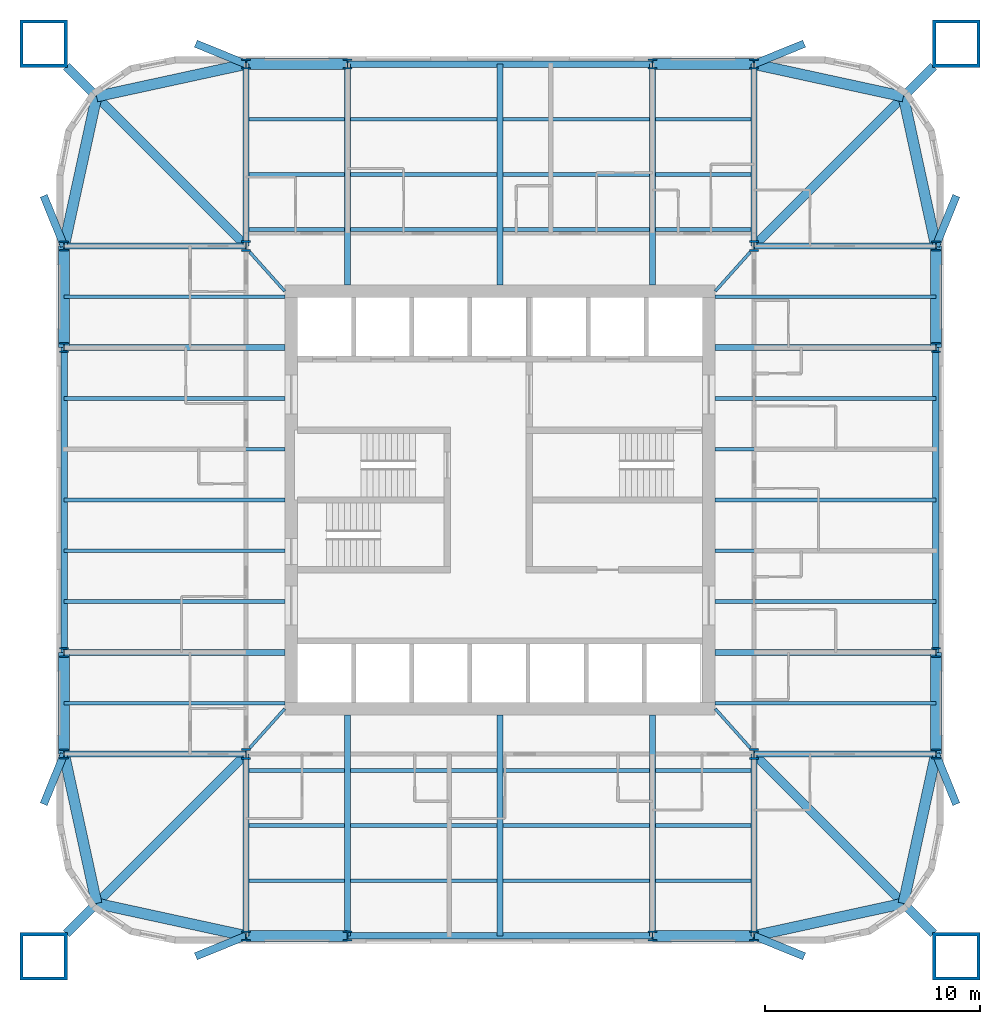
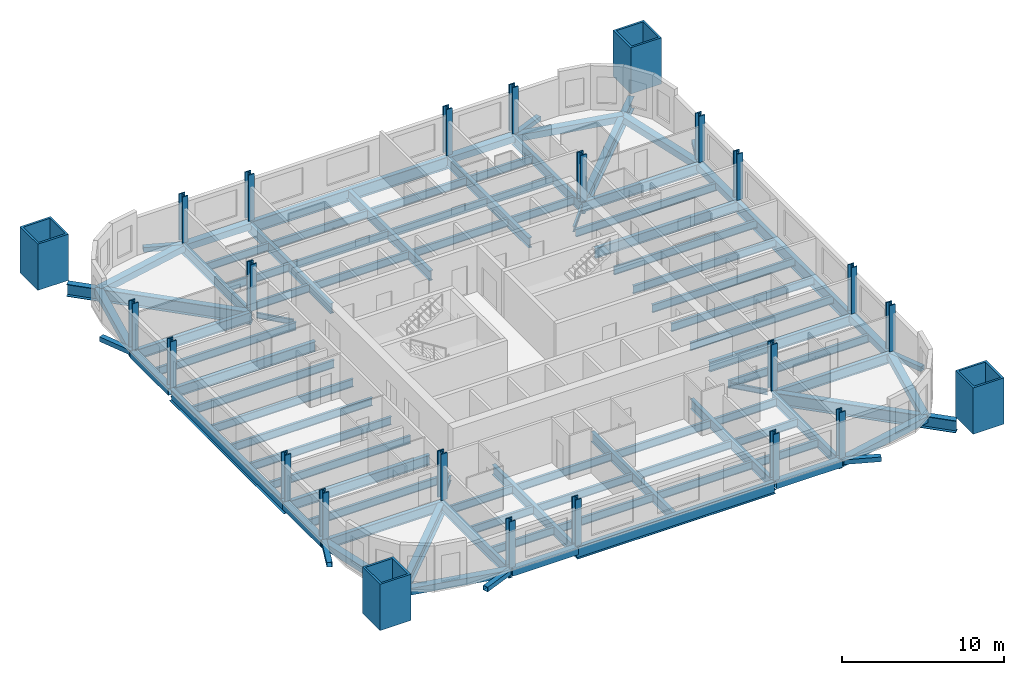
# One storey, part 1 of 8: 92 beams, 24 columns.
"""IFC4 building model written with IfcOpenShell, lengths in metres."""

from ifc_helpers import new_model, si_unit, direction, frame, origin, origin_2d, place, context, subcontext, project, spatial, hollow_rectangle, i_section, extrude, material, material_profile, profile_set, type_object, element, save


model = new_model("IFC4")

# Units and contexts
model_context = context("Model", 3, precision=1e-05, world=origin(), true_north=direction((0.0, 1.0)))
body_context = subcontext(model_context, "Body", "Model", "MODEL_VIEW")
ifc_project = project(units=[si_unit("LENGTHUNIT", "METRE"), si_unit("AREAUNIT", "SQUARE_METRE"), si_unit("VOLUMEUNIT", "CUBIC_METRE"), si_unit("PLANEANGLEUNIT", "RADIAN"), si_unit("MASSUNIT", "GRAM", prefix="KILO")], contexts=[model_context])

# Site, building, storey
site_placement = place(None, origin())
site = spatial("IfcSite", under=ifc_project, at=site_placement, CompositionType="ELEMENT")
building_placement = place(site_placement, origin())
building = spatial("IfcBuilding", under=site, at=building_placement, Name="Turquesa Mirador Hotel Tower", CompositionType="ELEMENT")
storey_placement = place(building_placement, frame((0.0, 0.0, 103.89990234375)))
storey = spatial("IfcBuildingStorey", under=building, at=storey_placement, Name="L27", CompositionType="ELEMENT", Elevation=103.89990234375)

# Columns
ifc_material_1 = material(Name="Steel ASTM A992 Grade 50", Category="steel")
ifc_material_profile_1 = material_profile(ifc_material_1, i_section(OverallWidth=0.421630859375, OverallDepth=0.46484375, WebThickness=0.044921875, FlangeThickness=0.072509765625, at=origin_2d()), Name="W14X398")
ifc_profile_set_1 = profile_set([ifc_material_profile_1], Name="Steel ASTM A992 Grade 50")
column_type_1 = type_object("IfcColumnType", Name="COLUMN W14X398", PredefinedType="COLUMN", material=ifc_profile_set_1)
for number, where, z_axis, x_axis, name in (
    (1, (34.75, 33.199951171875, 0.0), (0.0, 0.0, 1.0), (1.0, 0.0, 0.0), "COL-L27-P--20.25--11.80"),
    (2, (34.75, 37.919921875, 0.0), (0.0, 0.0, 1.0), (1.0, 0.0, 0.0), "COL-L27-P--20.25--7.08"),
    (3, (34.75, 52.080078125, 0.0), (0.0, 0.0, 1.0), (1.0, 0.0, 0.0), "COL-L27-P--20.25-+7.08"),
    (4, (34.75, 56.800048828125, 0.0), (0.0, 0.0, 1.0), (1.0, 0.0, 0.0), "COL-L27-P--20.25-+11.80"),
    (5, (43.199951171875, 24.75, 0.0), (0.0, 0.0, 1.0), (1.0, 0.0, 0.0), "COL-L27-P--11.80--20.25"),
    (6, (43.199951171875, 65.25, 0.0), (0.0, 0.0, 1.0), (1.0, 0.0, 0.0), "COL-L27-P--11.80-+20.25"),
    (7, (47.919921875, 24.75, 0.0), (0.0, 0.0, 1.0), (1.0, 0.0, 0.0), "COL-L27-P--7.08--20.25"),
    (8, (47.919921875, 65.25, 0.0), (0.0, 0.0, 1.0), (1.0, 0.0, 0.0), "COL-L27-P--7.08-+20.25"),
    (9, (62.080078125, 24.75, 0.0), (0.0, 0.0, 1.0), (1.0, 0.0, 0.0), "COL-L27-P-+7.08--20.25"),
    (10, (62.080078125, 65.25, 0.0), (0.0, 0.0, 1.0), (1.0, 0.0, 0.0), "COL-L27-P-+7.08-+20.25"),
    (11, (66.800048828125, 24.75, 0.0), (0.0, 0.0, 1.0), (1.0, 0.0, 0.0), "COL-L27-P-+11.80--20.25"),
    (12, (66.800048828125, 65.25, 0.0), (0.0, 0.0, 1.0), (1.0, 0.0, 0.0), "COL-L27-P-+11.80-+20.25"),
    (13, (75.25, 33.199951171875, 0.0), (0.0, 0.0, 1.0), (1.0, 0.0, 0.0), "COL-L27-P-+20.25--11.80"),
    (14, (75.25, 37.919921875, 0.0), (0.0, 0.0, 1.0), (1.0, 0.0, 0.0), "COL-L27-P-+20.25--7.08"),
    (15, (75.25, 52.080078125, 0.0), (0.0, 0.0, 1.0), (1.0, 0.0, 0.0), "COL-L27-P-+20.25-+7.08"),
    (16, (75.25, 56.800048828125, 0.0), (0.0, 0.0, 1.0), (1.0, 0.0, 0.0), "COL-L27-P-+20.25-+11.80"),
):
    element("IfcColumn", number, at=place(storey_placement, frame(where, z_axis=z_axis, x_axis=x_axis)), inside=storey, type_object=column_type_1, Name=name, PredefinedType="COLUMN", context=body_context, shape_type="SweptSolid", body=[
        extrude(i_section(OverallWidth=0.421630859375, OverallDepth=0.46484375, WebThickness=0.044921875, FlangeThickness=0.072509765625, at=origin_2d()), origin(), (0.0, 0.0, 1.0), 3.5),
    ])
ifc_material_2 = material(Name="Steel ASTM A992 Grade 50", Category="steel")
ifc_material_profile_2 = material_profile(ifc_material_2, i_section(OverallWidth=0.431884765625, OverallDepth=0.497802734375, WebThickness=0.0556640625, FlangeThickness=0.0888671875, at=origin_2d()), Name="W14X500")
ifc_profile_set_2 = profile_set([ifc_material_profile_2], Name="Steel ASTM A992 Grade 50")
column_type_2 = type_object("IfcColumnType", Name="COLUMN W14X500", PredefinedType="COLUMN", material=ifc_profile_set_2)
for number, where, z_axis, x_axis, name in (
    (17, (43.199951171875, 33.199951171875, 0.0), (0.0, 0.0, 1.0), (1.0, 0.0, 0.0), "COL-L27-K--11.80--11.80"),
    (18, (43.199951171875, 56.800048828125, 0.0), (0.0, 0.0, 1.0), (1.0, 0.0, 0.0), "COL-L27-K--11.80-+11.80"),
    (19, (66.800048828125, 33.199951171875, 0.0), (0.0, 0.0, 1.0), (1.0, 0.0, 0.0), "COL-L27-K-+11.80--11.80"),
    (20, (66.800048828125, 56.800048828125, 0.0), (0.0, 0.0, 1.0), (1.0, 0.0, 0.0), "COL-L27-K-+11.80-+11.80"),
):
    element("IfcColumn", number, at=place(storey_placement, frame(where, z_axis=z_axis, x_axis=x_axis)), inside=storey, type_object=column_type_2, Name=name, PredefinedType="COLUMN", context=body_context, shape_type="SweptSolid", body=[
        extrude(i_section(OverallWidth=0.431884765625, OverallDepth=0.497802734375, WebThickness=0.0556640625, FlangeThickness=0.0888671875, at=origin_2d()), origin(), (0.0, 0.0, 1.0), 3.5),
    ])
ifc_material_3 = material(Name="Steel ASTM A514 Grade Q", Category="steel")
ifc_material_profile_3 = material_profile(ifc_material_3, hollow_rectangle(XDim=2.199951171875, YDim=2.199951171875, WallThickness=0.14990234375, at=origin_2d()), Name="BOX2200X2200X150")
ifc_profile_set_3 = profile_set([ifc_material_profile_3], Name="Steel ASTM A514 Grade Q")
column_type_3 = type_object("IfcColumnType", Name="MEGA COLUMN BOX2200X2200X150", PredefinedType="COLUMN", material=ifc_profile_set_3)
for number, where, z_axis, x_axis, name in (
    (21, (76.199951171875, 66.199951171875, 0.0), (0.0, 0.0, 1.0), (1.0, 0.0, 0.0), "Mega column M1"),
    (22, (33.800048828125, 66.199951171875, 0.0), (0.0, 0.0, 1.0), (1.0, 0.0, 0.0), "Mega column M2"),
    (23, (33.800048828125, 23.800048828125, 0.0), (0.0, 0.0, 1.0), (1.0, 0.0, 0.0), "Mega column M3"),
    (24, (76.199951171875, 23.800048828125, 0.0), (0.0, 0.0, 1.0), (1.0, 0.0, 0.0), "Mega column M4"),
):
    element("IfcColumn", number, at=place(storey_placement, frame(where, z_axis=z_axis, x_axis=x_axis)), inside=storey, type_object=column_type_3, Name=name, PredefinedType="COLUMN", context=body_context, shape_type="SweptSolid", body=[
        extrude(hollow_rectangle(XDim=2.199951171875, YDim=2.199951171875, WallThickness=0.14990234375, at=origin_2d()), origin(), (0.0, 0.0, 1.0), 3.5),
    ])

# Beams
ifc_material_4 = material(Name="Steel ASTM A572 Grade 50", Category="steel")
ifc_material_profile_4 = material_profile(ifc_material_4, hollow_rectangle(XDim=0.5, YDim=0.5, WallThickness=0.01611328125, at=origin_2d()), Name="BOX500X500X16")
ifc_profile_set_4 = profile_set([ifc_material_profile_4], Name="Steel ASTM A572 Grade 50")
beam_type_1 = type_object("IfcBeamType", Name="BEAM BOX500X500X16", PredefinedType="BEAM", material=ifc_profile_set_4)
for number, where, z_axis, x_axis, name in (
    (25, (43.199951171875, 65.25, -0.419921875), (1.0, 0.0, 0.0), (0.0, 1.0, 0.0), "EB-L27-N-L"),
    (26, (62.080078125, 65.25, -0.419921875), (1.0, 0.0, 0.0), (0.0, 1.0, 0.0), "EB-L27-N-R"),
    (27, (43.199951171875, 24.75, -0.419921875), (1.0, 0.0, 0.0), (0.0, 1.0, 0.0), "EB-L27-S-L"),
    (28, (62.080078125, 24.75, -0.419921875), (1.0, 0.0, 0.0), (0.0, 1.0, 0.0), "EB-L27-S-R"),
    (29, (75.25, 33.199951171875, -0.419921875), (0.0, 1.0, 0.0), (-1.0, 0.0, 0.0), "EB-L27-E-L"),
    (30, (75.25, 52.080078125, -0.419921875), (0.0, 1.0, 0.0), (-1.0, 0.0, 0.0), "EB-L27-E-R"),
    (31, (34.75, 33.199951171875, -0.419921875), (0.0, 1.0, 0.0), (-1.0, 0.0, 0.0), "EB-L27-W-L"),
    (32, (34.75, 52.080078125, -0.419921875), (0.0, 1.0, 0.0), (-1.0, 0.0, 0.0), "EB-L27-W-R"),
):
    element("IfcBeam", number, at=place(storey_placement, frame(where, z_axis=z_axis, x_axis=x_axis)), inside=storey, type_object=beam_type_1, Name=name, PredefinedType="BEAM", context=body_context, shape_type="SweptSolid", body=[
        extrude(hollow_rectangle(XDim=0.5, YDim=0.5, WallThickness=0.01611328125, at=origin_2d()), origin(), (0.0, 0.0, 1.0), 4.719970703125),
    ])
for number, where, z_axis, x_axis, name in (
    (33, (75.25, 56.800048828125, -0.419921875), (-0.212328336885, 0.977198381781, 0.0), (-0.977198381781, -0.212328336885, 0.0), "KE-L27-1-0"),
    (34, (73.74169921875, 63.74169921875, -0.419921875), (-0.977198381781, 0.212328336885, 0.0), (-0.212328336885, -0.977198381781, 0.0), "KE-L27-1-1"),
    (35, (34.75, 56.800048828125, -0.419921875), (0.212328336885, 0.977198381781, 0.0), (-0.977198381781, 0.212328336885, 0.0), "KE-L27-2-0"),
    (36, (36.25830078125, 63.74169921875, -0.419921875), (0.977198381781, 0.212328336885, 0.0), (-0.212328336885, 0.977198381781, 0.0), "KE-L27-2-1"),
    (37, (34.75, 33.199951171875, -0.419921875), (0.212328336885, -0.977198381781, 0.0), (0.977198381781, 0.212328336885, 0.0), "KE-L27-3-0"),
    (38, (36.25830078125, 26.25830078125, -0.419921875), (0.977198381781, -0.212328336885, 0.0), (0.212328336885, 0.977198381781, 0.0), "KE-L27-3-1"),
    (39, (75.25, 33.199951171875, -0.419921875), (-0.212328336885, -0.977198381781, 0.0), (0.977198381781, -0.212328336885, 0.0), "KE-L27-4-0"),
    (40, (73.74169921875, 26.25830078125, -0.419921875), (-0.977198381781, -0.212328336885, 0.0), (0.212328336885, -0.977198381781, 0.0), "KE-L27-4-1"),
):
    element("IfcBeam", number, at=place(storey_placement, frame(where, z_axis=z_axis, x_axis=x_axis)), inside=storey, type_object=beam_type_1, Name=name, PredefinedType="BEAM", context=body_context, shape_type="SweptSolid", body=[
        extrude(hollow_rectangle(XDim=0.5, YDim=0.5, WallThickness=0.01611328125, at=origin_2d()), origin(), (0.0, 0.0, 1.0), 7.103515625),
    ])
ifc_material_5 = material(Name="Steel ASTM A992 Grade 50", Category="steel")
ifc_material_profile_5 = material_profile(ifc_material_5, i_section(OverallWidth=0.140380859375, OverallDepth=0.40380859375, WebThickness=0.007080078125, FlangeThickness=0.01123046875, at=origin_2d()), Name="W16X31")
ifc_profile_set_5 = profile_set([ifc_material_profile_5], Name="Steel ASTM A992 Grade 50")
beam_type_2 = type_object("IfcBeamType", Name="BEAM W16X31", PredefinedType="BEAM", material=ifc_profile_set_5)
for number, where, z_axis, x_axis, name in (
    (41, (66.626953125, 56.518310546875, -0.371826171875), (-0.66679485947, -0.745241313525, 0.0), (0.745241313525, -0.66679485947, 0.0), "KT-L27-1"),
    (42, (43.373046875, 56.518310546875, -0.371826171875), (0.66679485947, -0.745241313525, 0.0), (0.745241313525, 0.66679485947, 0.0), "KT-L27-2"),
    (43, (43.373046875, 33.481689453125, -0.371826171875), (0.66679485947, 0.745241313525, 0.0), (-0.745241313525, 0.66679485947, 0.0), "KT-L27-3"),
    (44, (66.626953125, 33.481689453125, -0.371826171875), (-0.66679485947, 0.745241313525, 0.0), (-0.745241313525, -0.66679485947, 0.0), "KT-L27-4"),
):
    element("IfcBeam", number, at=place(storey_placement, frame(where, z_axis=z_axis, x_axis=x_axis)), inside=storey, type_object=beam_type_2, Name=name, PredefinedType="BEAM", context=body_context, shape_type="SweptSolid", body=[
        extrude(i_section(OverallWidth=0.140380859375, OverallDepth=0.40380859375, WebThickness=0.007080078125, FlangeThickness=0.01123046875, at=origin_2d()), origin(), (0.0, 0.0, 1.0), 2.43994140625),
    ])
ifc_material_6 = material(Name="Steel ASTM A992 Grade 50", Category="steel")
ifc_material_profile_6 = material_profile(ifc_material_6, i_section(OverallWidth=0.177978515625, OverallDepth=0.599365234375, WebThickness=0.010009765625, FlangeThickness=0.012939453125, at=origin_2d()), Name="W24X55")
ifc_profile_set_6 = profile_set([ifc_material_profile_6], Name="Steel ASTM A992 Grade 50")
beam_type_3 = type_object("IfcBeamType", Name="BEAM W24X55", PredefinedType="BEAM", material=ifc_profile_set_6)
beam_1_placement = place(storey_placement, frame((43.333251953125, 57.56201171875, -0.4697265625), z_axis=(1.0, 0.0, 0.0), x_axis=(0.0, 1.0, 0.0)))
element("IfcBeam", 45, at=beam_1_placement, inside=storey, type_object=beam_type_3, Name="IB-L27-N-1-0", PredefinedType="BEAM", context=body_context, shape_type="SweptSolid", body=[
    extrude(i_section(OverallWidth=0.177978515625, OverallDepth=0.599365234375, WebThickness=0.010009765625, FlangeThickness=0.012939453125, at=origin_2d()), origin(), (0.0, 0.0, 1.0), 4.453369140625),
])
for number, where, z_axis, x_axis, name in (
    (46, (48.053466796875, 57.56201171875, -0.4697265625), (1.0, 0.0, 0.0), (0.0, 1.0, 0.0), "IB-L27-N-1-1"),
    (47, (55.13330078125, 57.56201171875, -0.4697265625), (1.0, 0.0, 0.0), (0.0, 1.0, 0.0), "IB-L27-N-1-2"),
):
    element("IfcBeam", number, at=place(storey_placement, frame(where, z_axis=z_axis, x_axis=x_axis)), inside=storey, type_object=beam_type_3, Name=name, PredefinedType="BEAM", context=body_context, shape_type="SweptSolid", body=[
        extrude(i_section(OverallWidth=0.177978515625, OverallDepth=0.599365234375, WebThickness=0.010009765625, FlangeThickness=0.012939453125, at=origin_2d()), origin(), (0.0, 0.0, 1.0), 6.813232421875),
    ])
for number, where, z_axis, x_axis, name in (
    (48, (62.21337890625, 57.56201171875, -0.4697265625), (1.0, 0.0, 0.0), (0.0, 1.0, 0.0), "IB-L27-N-1-3"),
    (49, (43.333251953125, 60.125, -0.4697265625), (1.0, 0.0, 0.0), (0.0, 1.0, 0.0), "IB-L27-N-2-0"),
):
    element("IfcBeam", number, at=place(storey_placement, frame(where, z_axis=z_axis, x_axis=x_axis)), inside=storey, type_object=beam_type_3, Name=name, PredefinedType="BEAM", context=body_context, shape_type="SweptSolid", body=[
        extrude(i_section(OverallWidth=0.177978515625, OverallDepth=0.599365234375, WebThickness=0.010009765625, FlangeThickness=0.012939453125, at=origin_2d()), origin(), (0.0, 0.0, 1.0), 4.453369140625),
    ])
for number, where, z_axis, x_axis, name in (
    (50, (48.053466796875, 60.125, -0.4697265625), (1.0, 0.0, 0.0), (0.0, 1.0, 0.0), "IB-L27-N-2-1"),
    (51, (55.13330078125, 60.125, -0.4697265625), (1.0, 0.0, 0.0), (0.0, 1.0, 0.0), "IB-L27-N-2-2"),
):
    element("IfcBeam", number, at=place(storey_placement, frame(where, z_axis=z_axis, x_axis=x_axis)), inside=storey, type_object=beam_type_3, Name=name, PredefinedType="BEAM", context=body_context, shape_type="SweptSolid", body=[
        extrude(i_section(OverallWidth=0.177978515625, OverallDepth=0.599365234375, WebThickness=0.010009765625, FlangeThickness=0.012939453125, at=origin_2d()), origin(), (0.0, 0.0, 1.0), 6.813232421875),
    ])
for number, where, z_axis, x_axis, name in (
    (52, (62.21337890625, 60.125, -0.4697265625), (1.0, 0.0, 0.0), (0.0, 1.0, 0.0), "IB-L27-N-2-3"),
    (53, (43.333251953125, 62.68798828125, -0.4697265625), (1.0, 0.0, 0.0), (0.0, 1.0, 0.0), "IB-L27-N-3-0"),
):
    element("IfcBeam", number, at=place(storey_placement, frame(where, z_axis=z_axis, x_axis=x_axis)), inside=storey, type_object=beam_type_3, Name=name, PredefinedType="BEAM", context=body_context, shape_type="SweptSolid", body=[
        extrude(i_section(OverallWidth=0.177978515625, OverallDepth=0.599365234375, WebThickness=0.010009765625, FlangeThickness=0.012939453125, at=origin_2d()), origin(), (0.0, 0.0, 1.0), 4.453369140625),
    ])
for number, where, z_axis, x_axis, name in (
    (54, (48.053466796875, 62.68798828125, -0.4697265625), (1.0, 0.0, 0.0), (0.0, 1.0, 0.0), "IB-L27-N-3-1"),
    (55, (55.13330078125, 62.68798828125, -0.4697265625), (1.0, 0.0, 0.0), (0.0, 1.0, 0.0), "IB-L27-N-3-2"),
):
    element("IfcBeam", number, at=place(storey_placement, frame(where, z_axis=z_axis, x_axis=x_axis)), inside=storey, type_object=beam_type_3, Name=name, PredefinedType="BEAM", context=body_context, shape_type="SweptSolid", body=[
        extrude(i_section(OverallWidth=0.177978515625, OverallDepth=0.599365234375, WebThickness=0.010009765625, FlangeThickness=0.012939453125, at=origin_2d()), origin(), (0.0, 0.0, 1.0), 6.813232421875),
    ])
for number, where, z_axis, x_axis, name in (
    (56, (62.21337890625, 62.68798828125, -0.4697265625), (1.0, 0.0, 0.0), (0.0, 1.0, 0.0), "IB-L27-N-3-3"),
    (57, (43.333251953125, 32.43798828125, -0.4697265625), (1.0, 0.0, 0.0), (0.0, 1.0, 0.0), "IB-L27-S-1-0"),
):
    element("IfcBeam", number, at=place(storey_placement, frame(where, z_axis=z_axis, x_axis=x_axis)), inside=storey, type_object=beam_type_3, Name=name, PredefinedType="BEAM", context=body_context, shape_type="SweptSolid", body=[
        extrude(i_section(OverallWidth=0.177978515625, OverallDepth=0.599365234375, WebThickness=0.010009765625, FlangeThickness=0.012939453125, at=origin_2d()), origin(), (0.0, 0.0, 1.0), 4.453369140625),
    ])
for number, where, z_axis, x_axis, name in (
    (58, (48.053466796875, 32.43798828125, -0.4697265625), (1.0, 0.0, 0.0), (0.0, 1.0, 0.0), "IB-L27-S-1-1"),
    (59, (55.13330078125, 32.43798828125, -0.4697265625), (1.0, 0.0, 0.0), (0.0, 1.0, 0.0), "IB-L27-S-1-2"),
):
    element("IfcBeam", number, at=place(storey_placement, frame(where, z_axis=z_axis, x_axis=x_axis)), inside=storey, type_object=beam_type_3, Name=name, PredefinedType="BEAM", context=body_context, shape_type="SweptSolid", body=[
        extrude(i_section(OverallWidth=0.177978515625, OverallDepth=0.599365234375, WebThickness=0.010009765625, FlangeThickness=0.012939453125, at=origin_2d()), origin(), (0.0, 0.0, 1.0), 6.813232421875),
    ])
for number, where, z_axis, x_axis, name in (
    (60, (62.21337890625, 32.43798828125, -0.4697265625), (1.0, 0.0, 0.0), (0.0, 1.0, 0.0), "IB-L27-S-1-3"),
    (61, (43.333251953125, 29.875, -0.4697265625), (1.0, 0.0, 0.0), (0.0, 1.0, 0.0), "IB-L27-S-2-0"),
):
    element("IfcBeam", number, at=place(storey_placement, frame(where, z_axis=z_axis, x_axis=x_axis)), inside=storey, type_object=beam_type_3, Name=name, PredefinedType="BEAM", context=body_context, shape_type="SweptSolid", body=[
        extrude(i_section(OverallWidth=0.177978515625, OverallDepth=0.599365234375, WebThickness=0.010009765625, FlangeThickness=0.012939453125, at=origin_2d()), origin(), (0.0, 0.0, 1.0), 4.453369140625),
    ])
for number, where, z_axis, x_axis, name in (
    (62, (48.053466796875, 29.875, -0.4697265625), (1.0, 0.0, 0.0), (0.0, 1.0, 0.0), "IB-L27-S-2-1"),
    (63, (55.13330078125, 29.875, -0.4697265625), (1.0, 0.0, 0.0), (0.0, 1.0, 0.0), "IB-L27-S-2-2"),
):
    element("IfcBeam", number, at=place(storey_placement, frame(where, z_axis=z_axis, x_axis=x_axis)), inside=storey, type_object=beam_type_3, Name=name, PredefinedType="BEAM", context=body_context, shape_type="SweptSolid", body=[
        extrude(i_section(OverallWidth=0.177978515625, OverallDepth=0.599365234375, WebThickness=0.010009765625, FlangeThickness=0.012939453125, at=origin_2d()), origin(), (0.0, 0.0, 1.0), 6.813232421875),
    ])
for number, where, z_axis, x_axis, name in (
    (64, (62.21337890625, 29.875, -0.4697265625), (1.0, 0.0, 0.0), (0.0, 1.0, 0.0), "IB-L27-S-2-3"),
    (65, (43.333251953125, 27.31201171875, -0.4697265625), (1.0, 0.0, 0.0), (0.0, 1.0, 0.0), "IB-L27-S-3-0"),
):
    element("IfcBeam", number, at=place(storey_placement, frame(where, z_axis=z_axis, x_axis=x_axis)), inside=storey, type_object=beam_type_3, Name=name, PredefinedType="BEAM", context=body_context, shape_type="SweptSolid", body=[
        extrude(i_section(OverallWidth=0.177978515625, OverallDepth=0.599365234375, WebThickness=0.010009765625, FlangeThickness=0.012939453125, at=origin_2d()), origin(), (0.0, 0.0, 1.0), 4.453369140625),
    ])
for number, where, z_axis, x_axis, name in (
    (66, (48.053466796875, 27.31201171875, -0.4697265625), (1.0, 0.0, 0.0), (0.0, 1.0, 0.0), "IB-L27-S-3-1"),
    (67, (55.13330078125, 27.31201171875, -0.4697265625), (1.0, 0.0, 0.0), (0.0, 1.0, 0.0), "IB-L27-S-3-2"),
):
    element("IfcBeam", number, at=place(storey_placement, frame(where, z_axis=z_axis, x_axis=x_axis)), inside=storey, type_object=beam_type_3, Name=name, PredefinedType="BEAM", context=body_context, shape_type="SweptSolid", body=[
        extrude(i_section(OverallWidth=0.177978515625, OverallDepth=0.599365234375, WebThickness=0.010009765625, FlangeThickness=0.012939453125, at=origin_2d()), origin(), (0.0, 0.0, 1.0), 6.813232421875),
    ])
beam_2_placement = place(storey_placement, frame((62.21337890625, 27.31201171875, -0.4697265625), z_axis=(1.0, 0.0, 0.0), x_axis=(0.0, 1.0, 0.0)))
element("IfcBeam", 68, at=beam_2_placement, inside=storey, type_object=beam_type_3, Name="IB-L27-S-3-3", PredefinedType="BEAM", context=body_context, shape_type="SweptSolid", body=[
    extrude(i_section(OverallWidth=0.177978515625, OverallDepth=0.599365234375, WebThickness=0.010009765625, FlangeThickness=0.012939453125, at=origin_2d()), origin(), (0.0, 0.0, 1.0), 4.453369140625),
])
for number, where, z_axis, x_axis, name in (
    (69, (75.25, 35.56005859375, -0.4697265625), (-1.0, 0.0, 0.0), (0.0, -1.0, 0.0), "BM-L27-E--9.44"),
    (70, (75.25, 40.280029296875, -0.4697265625), (-1.0, 0.0, 0.0), (0.0, -1.0, 0.0), "BM-L27-E--4.72"),
    (71, (75.25, 42.639892578125, -0.4697265625), (-1.0, 0.0, 0.0), (0.0, -1.0, 0.0), "BM-L27-E--2.36"),
    (72, (75.25, 45.0, -0.4697265625), (-1.0, 0.0, 0.0), (0.0, -1.0, 0.0), "BM-L27-E-+0.00"),
    (73, (75.25, 47.360107421875, -0.4697265625), (-1.0, 0.0, 0.0), (0.0, -1.0, 0.0), "BM-L27-E-+2.36"),
    (74, (75.25, 49.719970703125, -0.4697265625), (-1.0, 0.0, 0.0), (0.0, -1.0, 0.0), "BM-L27-E-+4.72"),
    (75, (75.25, 54.43994140625, -0.4697265625), (-1.0, 0.0, 0.0), (0.0, -1.0, 0.0), "BM-L27-E-+9.44"),
    (76, (34.75, 35.56005859375, -0.4697265625), (1.0, 0.0, 0.0), (0.0, 1.0, 0.0), "BM-L27-W--9.44"),
    (77, (34.75, 40.280029296875, -0.4697265625), (1.0, 0.0, 0.0), (0.0, 1.0, 0.0), "BM-L27-W--4.72"),
    (78, (34.75, 42.639892578125, -0.4697265625), (1.0, 0.0, 0.0), (0.0, 1.0, 0.0), "BM-L27-W--2.36"),
    (79, (34.75, 45.0, -0.4697265625), (1.0, 0.0, 0.0), (0.0, 1.0, 0.0), "BM-L27-W-+0.00"),
    (80, (34.75, 47.360107421875, -0.4697265625), (1.0, 0.0, 0.0), (0.0, 1.0, 0.0), "BM-L27-W-+2.36"),
    (81, (34.75, 49.719970703125, -0.4697265625), (1.0, 0.0, 0.0), (0.0, 1.0, 0.0), "BM-L27-W-+4.72"),
    (82, (34.75, 54.43994140625, -0.4697265625), (1.0, 0.0, 0.0), (0.0, 1.0, 0.0), "BM-L27-W-+9.44"),
):
    element("IfcBeam", number, at=place(storey_placement, frame(where, z_axis=z_axis, x_axis=x_axis)), inside=storey, type_object=beam_type_3, Name=name, PredefinedType="BEAM", context=body_context, shape_type="SweptSolid", body=[
        extrude(i_section(OverallWidth=0.177978515625, OverallDepth=0.599365234375, WebThickness=0.010009765625, FlangeThickness=0.012939453125, at=origin_2d()), origin(), (0.0, 0.0, 1.0), 10.25),
    ])
ifc_material_7 = material(Name="Steel ASTM A992 Grade 50", Category="steel")
ifc_material_profile_7 = material_profile(ifc_material_7, i_section(OverallWidth=0.2666015625, OverallDepth=0.7568359375, WebThickness=0.013916015625, FlangeThickness=0.019287109375, at=origin_2d()), Name="W30X108")
ifc_profile_set_7 = profile_set([ifc_material_profile_7], Name="Steel ASTM A992 Grade 50")
beam_type_4 = type_object("IfcBeamType", Name="BEAM W30X108", PredefinedType="BEAM", material=ifc_profile_set_7)
for number, where, z_axis, x_axis, name in (
    (83, (47.919921875, 65.25, -0.54833984375), (0.0, -1.0, 0.0), (1.0, 0.0, 0.0), "GD-L27-N--7.08"),
    (84, (62.080078125, 65.25, -0.54833984375), (0.0, -1.0, 0.0), (1.0, 0.0, 0.0), "GD-L27-N-+7.08"),
    (85, (55.0, 65.25, -0.54833984375), (0.0, -1.0, 0.0), (1.0, 0.0, 0.0), "GD-L27-N-+0.00"),
):
    element("IfcBeam", number, at=place(storey_placement, frame(where, z_axis=z_axis, x_axis=x_axis)), inside=storey, type_object=beam_type_4, Name=name, PredefinedType="BEAM", context=body_context, shape_type="SweptSolid", body=[
        extrude(i_section(OverallWidth=0.2666015625, OverallDepth=0.7568359375, WebThickness=0.013916015625, FlangeThickness=0.019287109375, at=origin_2d()), origin(), (0.0, 0.0, 1.0), 10.25),
    ])
for number, where, z_axis, x_axis, name in (
    (86, (43.199951171875, 65.25, -0.54833984375), (0.0, -1.0, 0.0), (1.0, 0.0, 0.0), "GK-L27-N--11.80"),
    (87, (66.800048828125, 65.25, -0.54833984375), (0.0, -1.0, 0.0), (1.0, 0.0, 0.0), "GK-L27-N-+11.80"),
):
    element("IfcBeam", number, at=place(storey_placement, frame(where, z_axis=z_axis, x_axis=x_axis)), inside=storey, type_object=beam_type_4, Name=name, PredefinedType="BEAM", context=body_context, shape_type="SweptSolid", body=[
        extrude(i_section(OverallWidth=0.2666015625, OverallDepth=0.7568359375, WebThickness=0.013916015625, FlangeThickness=0.019287109375, at=origin_2d()), origin(), (0.0, 0.0, 1.0), 8.449951171875),
    ])
for number, where, z_axis, x_axis, name in (
    (88, (47.919921875, 24.75, -0.54833984375), (0.0, 1.0, 0.0), (-1.0, 0.0, 0.0), "GD-L27-S--7.08"),
    (89, (62.080078125, 24.75, -0.54833984375), (0.0, 1.0, 0.0), (-1.0, 0.0, 0.0), "GD-L27-S-+7.08"),
    (90, (55.0, 24.75, -0.54833984375), (0.0, 1.0, 0.0), (-1.0, 0.0, 0.0), "GD-L27-S-+0.00"),
):
    element("IfcBeam", number, at=place(storey_placement, frame(where, z_axis=z_axis, x_axis=x_axis)), inside=storey, type_object=beam_type_4, Name=name, PredefinedType="BEAM", context=body_context, shape_type="SweptSolid", body=[
        extrude(i_section(OverallWidth=0.2666015625, OverallDepth=0.7568359375, WebThickness=0.013916015625, FlangeThickness=0.019287109375, at=origin_2d()), origin(), (0.0, 0.0, 1.0), 10.25),
    ])
for number, where, z_axis, x_axis, name in (
    (91, (43.199951171875, 24.75, -0.54833984375), (0.0, 1.0, 0.0), (-1.0, 0.0, 0.0), "GK-L27-S--11.80"),
    (92, (66.800048828125, 24.75, -0.54833984375), (0.0, 1.0, 0.0), (-1.0, 0.0, 0.0), "GK-L27-S-+11.80"),
):
    element("IfcBeam", number, at=place(storey_placement, frame(where, z_axis=z_axis, x_axis=x_axis)), inside=storey, type_object=beam_type_4, Name=name, PredefinedType="BEAM", context=body_context, shape_type="SweptSolid", body=[
        extrude(i_section(OverallWidth=0.2666015625, OverallDepth=0.7568359375, WebThickness=0.013916015625, FlangeThickness=0.019287109375, at=origin_2d()), origin(), (0.0, 0.0, 1.0), 8.449951171875),
    ])
for number, where, z_axis, x_axis, name in (
    (93, (75.25, 37.919921875, -0.54833984375), (-1.0, 0.0, 0.0), (0.0, -1.0, 0.0), "GD-L27-E--7.08"),
    (94, (75.25, 52.080078125, -0.54833984375), (-1.0, 0.0, 0.0), (0.0, -1.0, 0.0), "GD-L27-E-+7.08"),
):
    element("IfcBeam", number, at=place(storey_placement, frame(where, z_axis=z_axis, x_axis=x_axis)), inside=storey, type_object=beam_type_4, Name=name, PredefinedType="BEAM", context=body_context, shape_type="SweptSolid", body=[
        extrude(i_section(OverallWidth=0.2666015625, OverallDepth=0.7568359375, WebThickness=0.013916015625, FlangeThickness=0.019287109375, at=origin_2d()), origin(), (0.0, 0.0, 1.0), 10.25),
    ])
for number, where, z_axis, x_axis, name in (
    (95, (75.25, 33.199951171875, -0.54833984375), (-1.0, 0.0, 0.0), (0.0, -1.0, 0.0), "GK-L27-E--11.80"),
    (96, (75.25, 56.800048828125, -0.54833984375), (-1.0, 0.0, 0.0), (0.0, -1.0, 0.0), "GK-L27-E-+11.80"),
):
    element("IfcBeam", number, at=place(storey_placement, frame(where, z_axis=z_axis, x_axis=x_axis)), inside=storey, type_object=beam_type_4, Name=name, PredefinedType="BEAM", context=body_context, shape_type="SweptSolid", body=[
        extrude(i_section(OverallWidth=0.2666015625, OverallDepth=0.7568359375, WebThickness=0.013916015625, FlangeThickness=0.019287109375, at=origin_2d()), origin(), (0.0, 0.0, 1.0), 8.449951171875),
    ])
for number, where, z_axis, x_axis, name in (
    (97, (34.75, 37.919921875, -0.54833984375), (1.0, 0.0, 0.0), (0.0, 1.0, 0.0), "GD-L27-W--7.08"),
    (98, (34.75, 52.080078125, -0.54833984375), (1.0, 0.0, 0.0), (0.0, 1.0, 0.0), "GD-L27-W-+7.08"),
):
    element("IfcBeam", number, at=place(storey_placement, frame(where, z_axis=z_axis, x_axis=x_axis)), inside=storey, type_object=beam_type_4, Name=name, PredefinedType="BEAM", context=body_context, shape_type="SweptSolid", body=[
        extrude(i_section(OverallWidth=0.2666015625, OverallDepth=0.7568359375, WebThickness=0.013916015625, FlangeThickness=0.019287109375, at=origin_2d()), origin(), (0.0, 0.0, 1.0), 10.25),
    ])
for number, where, z_axis, x_axis, name in (
    (99, (34.75, 33.199951171875, -0.54833984375), (1.0, 0.0, 0.0), (0.0, 1.0, 0.0), "GK-L27-W--11.80"),
    (100, (34.75, 56.800048828125, -0.54833984375), (1.0, 0.0, 0.0), (0.0, 1.0, 0.0), "GK-L27-W-+11.80"),
):
    element("IfcBeam", number, at=place(storey_placement, frame(where, z_axis=z_axis, x_axis=x_axis)), inside=storey, type_object=beam_type_4, Name=name, PredefinedType="BEAM", context=body_context, shape_type="SweptSolid", body=[
        extrude(i_section(OverallWidth=0.2666015625, OverallDepth=0.7568359375, WebThickness=0.013916015625, FlangeThickness=0.019287109375, at=origin_2d()), origin(), (0.0, 0.0, 1.0), 8.449951171875),
    ])
ifc_material_8 = material(Name="Steel ASTM A992 Grade 50", Category="steel")
ifc_material_profile_8 = material_profile(ifc_material_8, i_section(OverallWidth=0.3046875, OverallDepth=0.911865234375, WebThickness=0.015869140625, FlangeThickness=0.02392578125, at=origin_2d()), Name="W36X150")
ifc_profile_set_8 = profile_set([ifc_material_profile_8], Name="Steel ASTM A992 Grade 50")
beam_type_5 = type_object("IfcBeamType", Name="BEAM W36X150", PredefinedType="BEAM", material=ifc_profile_set_8)
for number, where, z_axis, x_axis, name in (
    (101, (47.919921875, 65.25, -0.625732421875), (1.0, 0.0, 0.0), (0.0, 1.0, 0.0), "EB-L27-N-C"),
    (102, (47.919921875, 24.75, -0.625732421875), (1.0, 0.0, 0.0), (0.0, 1.0, 0.0), "EB-L27-S-C"),
    (103, (75.25, 37.919921875, -0.625732421875), (0.0, 1.0, 0.0), (-1.0, 0.0, 0.0), "EB-L27-E-C"),
    (104, (34.75, 37.919921875, -0.625732421875), (0.0, 1.0, 0.0), (-1.0, 0.0, 0.0), "EB-L27-W-C"),
):
    element("IfcBeam", number, at=place(storey_placement, frame(where, z_axis=z_axis, x_axis=x_axis)), inside=storey, type_object=beam_type_5, Name=name, PredefinedType="BEAM", context=body_context, shape_type="SweptSolid", body=[
        extrude(i_section(OverallWidth=0.3046875, OverallDepth=0.911865234375, WebThickness=0.015869140625, FlangeThickness=0.02392578125, at=origin_2d()), origin(), (0.0, 0.0, 1.0), 14.16015625),
    ])
ifc_material_9 = material(Name="Steel ASTM A992 Grade 50", Category="steel")
ifc_material_profile_9 = material_profile(ifc_material_9, i_section(OverallWidth=0.419189453125, OverallDepth=0.927001953125, WebThickness=0.019287109375, FlangeThickness=0.031982421875, at=origin_2d()), Name="W36X231")
ifc_profile_set_9 = profile_set([ifc_material_profile_9], Name="Steel ASTM A992 Grade 50")
beam_type_6 = type_object("IfcBeamType", Name="BEAM W36X231", PredefinedType="BEAM", material=ifc_profile_set_9)
for number, where, z_axis, x_axis, name in (
    (105, (66.800048828125, 56.800048828125, -0.633544921875), (0.707106781187, 0.707106781187, 0.0), (-0.707106781187, 0.707106781187, 0.0), "KD-L27-1"),
    (106, (43.199951171875, 56.800048828125, -0.633544921875), (-0.707106781187, 0.707106781187, 0.0), (-0.707106781187, -0.707106781187, 0.0), "KD-L27-2"),
    (107, (43.199951171875, 33.199951171875, -0.633544921875), (-0.707106781187, -0.707106781187, 0.0), (0.707106781187, -0.707106781187, 0.0), "KD-L27-3"),
    (108, (66.800048828125, 33.199951171875, -0.633544921875), (0.707106781187, -0.707106781187, 0.0), (0.707106781187, 0.707106781187, 0.0), "KD-L27-4"),
):
    element("IfcBeam", number, at=place(storey_placement, frame(where, z_axis=z_axis, x_axis=x_axis)), inside=storey, type_object=beam_type_6, Name=name, PredefinedType="BEAM", context=body_context, shape_type="SweptSolid", body=[
        extrude(i_section(OverallWidth=0.419189453125, OverallDepth=0.927001953125, WebThickness=0.019287109375, FlangeThickness=0.031982421875, at=origin_2d()), origin(), (0.0, 0.0, 1.0), 11.80859375),
    ])
ifc_material_10 = material(Name="Steel ASTM A500 Grade C", Category="steel")
ifc_material_profile_10 = material_profile(ifc_material_10, hollow_rectangle(XDim=0.355712890625, YDim=0.355712890625, WallThickness=0.0146484375, at=origin_2d()), Name="HSS14X14X5/8")
ifc_profile_set_10 = profile_set([ifc_material_profile_10], Name="Steel ASTM A500 Grade C")
beam_type_7 = type_object("IfcBeamType", Name="BRACE STRUT HSS14X14X5/8", PredefinedType="BEAM", material=ifc_profile_set_10)
for number, where, z_axis, x_axis, name in (
    (109, (40.86669921875, 66.199951171875, -0.34765625), (0.926180124825, -0.377081392246, 0.0), (0.377081392246, 0.926180124825, 0.0), "Brace strut"),
    (110, (69.13330078125, 66.199951171875, -0.34765625), (-0.926180124825, -0.377081392246, 0.0), (0.377081392246, -0.926180124825, 0.0), "Brace strut"),
    (111, (40.86669921875, 23.800048828125, -0.34765625), (0.926180124825, 0.377081392246, 0.0), (-0.377081392246, 0.926180124825, 0.0), "Brace strut"),
    (112, (69.13330078125, 23.800048828125, -0.34765625), (-0.926180124825, 0.377081392246, 0.0), (-0.377081392246, -0.926180124825, 0.0), "Brace strut"),
    (113, (76.199951171875, 30.86669921875, -0.34765625), (-0.377081392246, 0.926180124825, 0.0), (-0.926180124825, -0.377081392246, 0.0), "Brace strut"),
    (114, (76.199951171875, 59.13330078125, -0.34765625), (-0.377081392246, -0.926180124825, 0.0), (0.926180124825, -0.377081392246, 0.0), "Brace strut"),
    (115, (33.800048828125, 30.86669921875, -0.34765625), (0.377081392246, 0.926180124825, 0.0), (-0.926180124825, 0.377081392246, 0.0), "Brace strut"),
    (116, (33.800048828125, 59.13330078125, -0.34765625), (0.377081392246, -0.926180124825, 0.0), (0.926180124825, 0.377081392246, 0.0), "Brace strut"),
):
    element("IfcBeam", number, at=place(storey_placement, frame(where, z_axis=z_axis, x_axis=x_axis)), inside=storey, type_object=beam_type_7, Name=name, PredefinedType="BEAM", context=body_context, shape_type="SweptSolid", body=[
        extrude(hollow_rectangle(XDim=0.355712890625, YDim=0.355712890625, WallThickness=0.0146484375, at=origin_2d()), origin(), (0.0, 0.0, 1.0), 2.519287109375),
    ])

save(model, "model.ifc")
